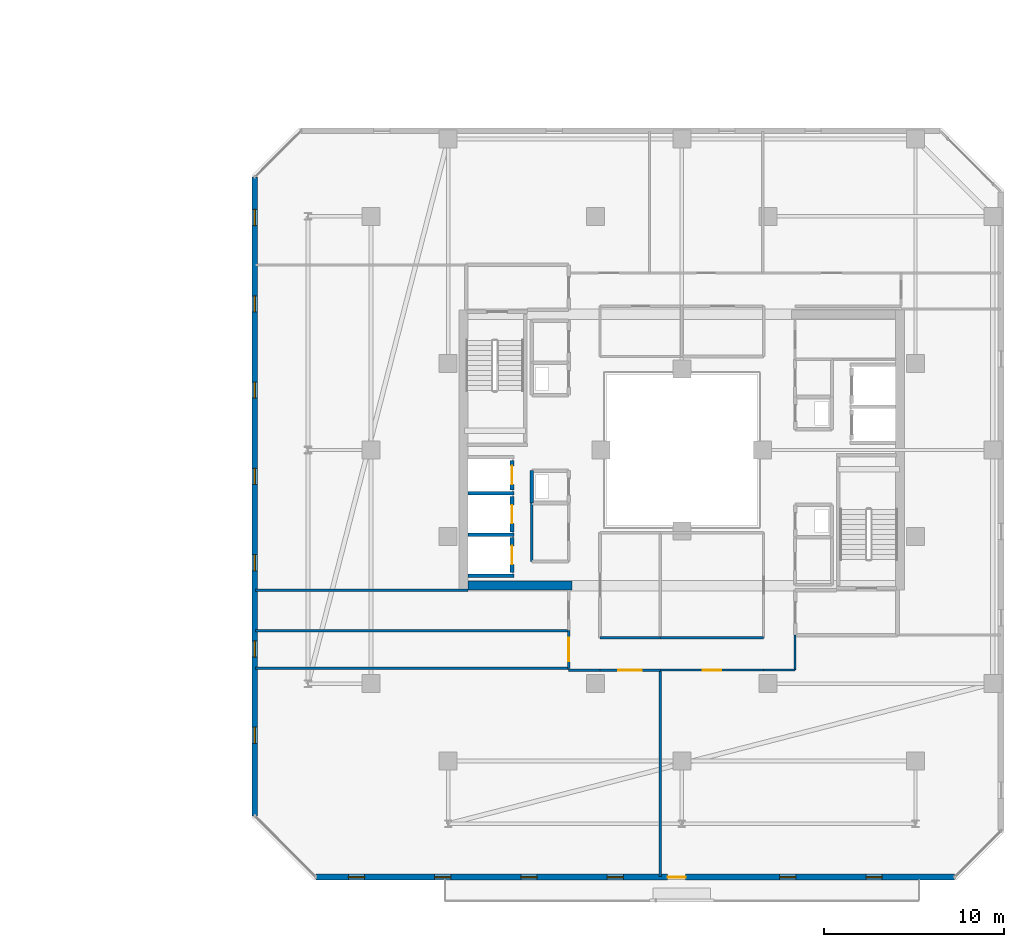
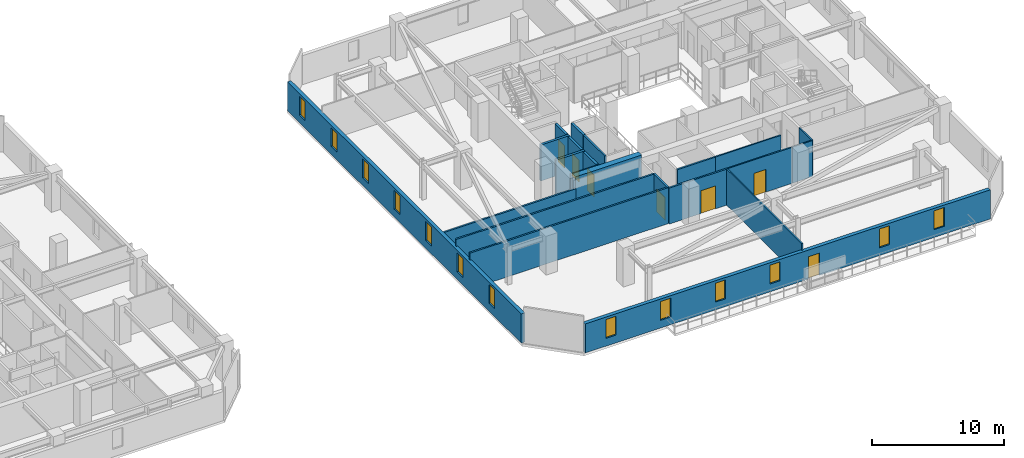
# One storey, part 23 of 33: 23 walls, 13 windows, 7 doors, 20 openings.
"""IFC4 building model written with IfcOpenShell, lengths in metres."""

from ifc_helpers import new_model, si_unit, direction, frame, frame_2d, origin, place, context, subcontext, project, spatial, rectangle, extrude, material, layer, layer_set, type_object, element, fill, save


model = new_model("IFC4")

# Units and contexts
model_context = context("Model", 3, precision=1e-05, world=origin(), true_north=direction((0.0, 1.0)))
body_context = subcontext(model_context, "Body", "Model", "MODEL_VIEW")
ifc_project = project(units=[si_unit("LENGTHUNIT", "METRE"), si_unit("AREAUNIT", "SQUARE_METRE"), si_unit("VOLUMEUNIT", "CUBIC_METRE"), si_unit("PLANEANGLEUNIT", "RADIAN"), si_unit("MASSUNIT", "GRAM", prefix="KILO")], contexts=[model_context])

# Site, building, storey
site_placement = place(None, origin())
site = spatial("IfcSite", under=ifc_project, at=site_placement, CompositionType="ELEMENT")
building_placement = place(site_placement, origin())
building = spatial("IfcBuilding", under=site, at=building_placement, Name="Thornwick Lancets Civic Towers", CompositionType="ELEMENT")
storey_placement = place(building_placement, frame((0.0, 0.0, 210.89990234375)))
storey = spatial("IfcBuildingStorey", under=building, at=storey_placement, Name="L56", CompositionType="ELEMENT", Elevation=210.89990234375)

# Wall, opening, door
ifc_material_1 = material(Name="Concrete blockwork C40/50", Category="masonry")
ifc_layer_1 = layer(ifc_material_1, 0.199951171875, Name="Concrete blockwork C40/50")
ifc_layer_set_1 = layer_set([ifc_layer_1], Name="Concrete blockwork C40/50")
wall_type_1 = type_object("IfcWallType", Name="WALL_COMP_200", PredefinedType="STANDARD", material=ifc_layer_set_1)
wall_1_placement = place(storey_placement, frame((79.050048828125, 24.780029296875, 0.0), z_axis=(0.0, 0.0, 1.0), x_axis=(0.0, 1.0, 0.0)))
wall_1 = element("IfcWall", 1, at=wall_1_placement, inside=storey, type_object=wall_type_1, Name="L56 Hoistway Front Wall FL-B2", PredefinedType="STANDARD", context=body_context, shape_type="SweptSolid", body=[
    extrude(rectangle(XDim=1.639892578125, YDim=0.199951171875, at=frame_2d((0.81982421875, 0.0))), origin(), (0.0, 0.0, 1.0), 3.340087890625),
])
opening_1_placement = place(wall_1_placement, frame((0.31005859375, 0.0, 0.0)))
opening_1 = element("IfcOpeningElement", 2, at=opening_1_placement, cuts=wall_1, Name="Opening LD-FL-B2", PredefinedType="OPENING", context=body_context, shape_type="SweptSolid", body=[
    extrude(rectangle(XDim=1.02001953125, YDim=2.06005859375, at=frame_2d((0.510009765625, 1.030029296875))), frame((0.0, 0.10986328125, 0.0), z_axis=(0.0, -1.0, 0.0), x_axis=(1.0, 0.0, 0.0)), (0.0, 0.0, 1.0), 0.219970703125),
])
ifc_material_2 = material(Name="Brushed bronze stainless steel", Category="steel")
door_type_1 = type_object("IfcDoorType", Name="DOOR_LIFT_SLIDE", OperationType="SLIDING_TO_LEFT", PredefinedType="DOOR", material=ifc_material_2)
door_1_placement = place(opening_1_placement, origin())
door_1 = element("IfcDoor", 3, at=door_1_placement, inside=storey, type_object=door_type_1, Name="L56 Sliding Lift Landing Door LD-FL-B2", OperationType="SLIDING_TO_LEFT", OverallHeight=2.06005859375, OverallWidth=1.02001953125, PredefinedType="DOOR", context=body_context, shape_type="SweptSolid", body=[
    extrude(rectangle(XDim=1.02001953125, YDim=2.06005859375, at=frame_2d((0.510009765625, 1.030029296875))), frame((0.0, 0.02490234375, 0.0), z_axis=(0.0, -1.0, 0.0), x_axis=(1.0, 0.0, 0.0)), (0.0, 0.0, 1.0), 0.050048828125),
])
fill(opening_1, door_1)

wall_2_placement = place(storey_placement, frame((79.050048828125, 22.429931640625, 0.0), z_axis=(0.0, 0.0, 1.0), x_axis=(0.0, 1.0, 0.0)))
wall_2 = element("IfcWall", 4, at=wall_2_placement, inside=storey, type_object=wall_type_1, Name="L56 Hoistway Front Wall PL-BH2", PredefinedType="STANDARD", context=body_context, shape_type="SweptSolid", body=[
    extrude(rectangle(XDim=1.989990234375, YDim=0.199951171875, at=frame_2d((0.9951171875, 0.0))), origin(), (0.0, 0.0, 1.0), 3.340087890625),
])
opening_2_placement = place(wall_2_placement, frame((0.485107421875, 0.0, 0.0)))
opening_2 = element("IfcOpeningElement", 5, at=opening_2_placement, cuts=wall_2, Name="Opening LD-PL-BH2", PredefinedType="OPENING", context=body_context, shape_type="SweptSolid", body=[
    extrude(rectangle(XDim=1.02001953125, YDim=2.06005859375, at=frame_2d((0.510009765625, 1.030029296875))), frame((0.0, 0.10986328125, 0.0), z_axis=(0.0, -1.0, 0.0), x_axis=(1.0, 0.0, 0.0)), (0.0, 0.0, 1.0), 0.219970703125),
])
door_2_placement = place(opening_2_placement, origin())
door_2 = element("IfcDoor", 6, at=door_2_placement, inside=storey, type_object=door_type_1, Name="L56 Sliding Lift Landing Door LD-PL-BH2", OperationType="SLIDING_TO_LEFT", OverallHeight=2.06005859375, OverallWidth=1.02001953125, PredefinedType="DOOR", context=body_context, shape_type="SweptSolid", body=[
    extrude(rectangle(XDim=1.02001953125, YDim=2.06005859375, at=frame_2d((0.510009765625, 1.030029296875))), frame((0.0, 0.02490234375, 0.0), z_axis=(0.0, -1.0, 0.0), x_axis=(1.0, 0.0, 0.0)), (0.0, 0.0, 1.0), 0.050048828125),
])
fill(opening_2, door_2)

wall_3_placement = place(storey_placement, frame((79.050048828125, 20.179931640625, 0.0), z_axis=(0.0, 0.0, 1.0), x_axis=(0.0, 1.0, 0.0)))
wall_3 = element("IfcWall", 7, at=wall_3_placement, inside=storey, type_object=wall_type_1, Name="L56 Hoistway Front Wall PL-BH3", PredefinedType="STANDARD", context=body_context, shape_type="SweptSolid", body=[
    extrude(rectangle(XDim=1.940185546875, YDim=0.199951171875, at=frame_2d((0.97021484375, 0.0))), origin(), (0.0, 0.0, 1.0), 3.340087890625),
])
opening_3_placement = place(wall_3_placement, frame((0.4599609375, 0.0, 0.0)))
opening_3 = element("IfcOpeningElement", 8, at=opening_3_placement, cuts=wall_3, Name="Opening LD-PL-BH3", PredefinedType="OPENING", context=body_context, shape_type="SweptSolid", body=[
    extrude(rectangle(XDim=1.02001953125, YDim=2.06005859375, at=frame_2d((0.510009765625, 1.030029296875))), frame((0.0, 0.10986328125, 0.0), z_axis=(0.0, -1.0, 0.0), x_axis=(1.0, 0.0, 0.0)), (0.0, 0.0, 1.0), 0.219970703125),
])
door_3_placement = place(opening_3_placement, origin())
door_3 = element("IfcDoor", 9, at=door_3_placement, inside=storey, type_object=door_type_1, Name="L56 Sliding Lift Landing Door LD-PL-BH3", OperationType="SLIDING_TO_LEFT", OverallHeight=2.06005859375, OverallWidth=1.02001953125, PredefinedType="DOOR", context=body_context, shape_type="SweptSolid", body=[
    extrude(rectangle(XDim=1.02001953125, YDim=2.06005859375, at=frame_2d((0.510009765625, 1.030029296875))), frame((0.0, 0.02490234375, 0.0), z_axis=(0.0, -1.0, 0.0), x_axis=(1.0, 0.0, 0.0)), (0.0, 0.0, 1.0), 0.050048828125),
])
fill(opening_3, door_3)

# Walls
for number, where, z_axis, x_axis, name in (
    (10, (76.612060546875, 24.60009765625, 0.0), (0.0, 0.0, 1.0), (1.0, 0.0, 0.0), "L56 Hoistway Shaft Wall FL-B2 S"),
    (11, (76.612060546875, 22.27490234375, 0.0), (0.0, 0.0, 1.0), (1.0, 0.0, 0.0), "L56 Hoistway Shaft Wall PL-BH2 S"),
    (12, (76.612060546875, 20.0, 0.0), (0.0, 0.0, 1.0), (1.0, 0.0, 0.0), "L56 Hoistway Shaft Wall PL-BH3 S"),
):
    element("IfcWall", number, at=place(storey_placement, frame(where, z_axis=z_axis, x_axis=x_axis)), inside=storey, type_object=wall_type_1, Name=name, PredefinedType="STANDARD", context=body_context, shape_type="SweptSolid", body=[
        extrude(rectangle(XDim=2.535888671875, YDim=0.199951171875, at=frame_2d((1.26806640625, 0.0))), origin(), (0.0, 0.0, 1.0), 3.340087890625),
    ])
wall_4_placement = place(storey_placement, frame((80.14990234375, 25.85009765625, 0.0), z_axis=(0.0, 0.0, 1.0), x_axis=(0.0, -1.0, 0.0)))
element("IfcWall", 13, at=wall_4_placement, inside=storey, type_object=wall_type_1, Name="L56 Partition L56-B-DUCT2 E4", PredefinedType="STANDARD", context=body_context, shape_type="SweptSolid", body=[
    extrude(rectangle(XDim=1.800048828125, YDim=0.199951171875, at=frame_2d((0.89990234375, 0.0))), origin(), (0.0, 0.0, 1.0), 3.340087890625),
])
ifc_material_3 = material(Name="Concrete C50/60", Category="concrete")
ifc_layer_2 = layer(ifc_material_3, 0.5, Name="Concrete C50/60")
ifc_layer_set_2 = layer_set([ifc_layer_2], Name="Concrete C50/60")
wall_type_2 = type_object("IfcWallType", Name="WALL_CORE_500", PredefinedType="SHEAR", material=ifc_layer_set_2)
wall_5_placement = place(storey_placement, frame((76.60009765625, 19.449951171875, 0.0), z_axis=(0.0, 0.0, 1.0), x_axis=(1.0, 0.0, 0.0)))
element("IfcWall", 14, at=wall_5_placement, inside=storey, type_object=wall_type_2, Name="L56 Split Core B2 Shear Wall S", PredefinedType="SHEAR", context=body_context, shape_type="SweptSolid", body=[
    extrude(rectangle(XDim=5.7998046875, YDim=0.5, at=frame_2d((2.89990234375, 0.0))), origin(), (0.0, 0.0, 1.0), 3.60009765625),
])

# Wall, openings, door, windows
ifc_material_4 = material(Name="Insulated buff terracotta rainscreen on concrete C40/50", Category="masonry")
ifc_layer_3 = layer(ifc_material_4, 0.320068359375, Name="Insulated buff terracotta rainscreen on concrete C40/50")
ifc_layer_set_3 = layer_set([ifc_layer_3], Name="Insulated buff terracotta rainscreen on concrete C40/50")
wall_type_3 = type_object("IfcWallType", Name="WALL_EXT_TERRA_320", PredefinedType="STANDARD", material=ifc_layer_set_3)
wall_6_placement = place(storey_placement, frame((68.146484375, 3.238037109375, 0.0), z_axis=(0.0, 0.0, 1.0), x_axis=(0.999999997144, -7.5574884e-05, 0.0)))
wall_6 = element("IfcWall", 15, at=wall_6_placement, inside=storey, type_object=wall_type_3, Name="L56 Tower B Terracotta Facade Wall E0", PredefinedType="STANDARD", context=body_context, shape_type="SweptSolid", body=[
    extrude(rectangle(XDim=35.534912109375, YDim=0.320068359375, at=frame_2d((17.767578125, 0.0))), origin(), (0.0, 0.0, 1.0), 2.7001953125),
])
opening_4_placement = place(wall_6_placement, frame((19.5673828125, 0.0, 0.0)))
opening_4 = element("IfcOpeningElement", 16, at=opening_4_placement, cuts=wall_6, Name="Opening D-BL-L56-BS", PredefinedType="OPENING", context=body_context, shape_type="SweptSolid", body=[
    extrude(rectangle(XDim=1.0, YDim=2.080078125, at=frame_2d((0.5, 1.0400390625))), frame((0.0, 0.169921875, 0.0), z_axis=(0.0, -1.0, 0.0), x_axis=(1.0, 0.0, 0.0)), (0.0, 0.0, 1.0), 0.340087890625),
])
opening_5_placement = place(wall_6_placement, frame((1.800048828125, 0.0, 0.719970703125)))
opening_5 = element("IfcOpeningElement", 17, at=opening_5_placement, cuts=wall_6, Name="Opening WL-01", PredefinedType="OPENING", context=body_context, shape_type="SweptSolid", body=[
    extrude(rectangle(XDim=0.89990234375, YDim=1.75, at=frame_2d((0.449951171875, 0.875))), frame((0.0, 0.169921875, 0.0), z_axis=(0.0, -1.0, 0.0), x_axis=(1.0, 0.0, 0.0)), (0.0, 0.0, 1.0), 0.340087890625),
])
opening_6_placement = place(wall_6_placement, frame((6.60009765625, 0.0, 0.719970703125)))
opening_6 = element("IfcOpeningElement", 18, at=opening_6_placement, cuts=wall_6, Name="Opening WL-01", PredefinedType="OPENING", context=body_context, shape_type="SweptSolid", body=[
    extrude(rectangle(XDim=0.89990234375, YDim=1.75, at=frame_2d((0.449951171875, 0.875))), frame((0.0, 0.169921875, 0.0), z_axis=(0.0, -1.0, 0.0), x_axis=(1.0, 0.0, 0.0)), (0.0, 0.0, 1.0), 0.340087890625),
])
opening_7_placement = place(wall_6_placement, frame((11.39990234375, 0.0, 0.719970703125)))
opening_7 = element("IfcOpeningElement", 19, at=opening_7_placement, cuts=wall_6, Name="Opening WL-01", PredefinedType="OPENING", context=body_context, shape_type="SweptSolid", body=[
    extrude(rectangle(XDim=0.89990234375, YDim=1.75, at=frame_2d((0.449951171875, 0.875))), frame((0.0, 0.169921875, 0.0), z_axis=(0.0, -1.0, 0.0), x_axis=(1.0, 0.0, 0.0)), (0.0, 0.0, 1.0), 0.340087890625),
])
opening_8_placement = place(wall_6_placement, frame((16.199951171875, 0.0, 0.719970703125)))
opening_8 = element("IfcOpeningElement", 20, at=opening_8_placement, cuts=wall_6, Name="Opening WL-01", PredefinedType="OPENING", context=body_context, shape_type="SweptSolid", body=[
    extrude(rectangle(XDim=0.89990234375, YDim=1.75, at=frame_2d((0.449951171875, 0.875))), frame((0.0, 0.169921875, 0.0), z_axis=(0.0, -1.0, 0.0), x_axis=(1.0, 0.0, 0.0)), (0.0, 0.0, 1.0), 0.340087890625),
])
opening_9_placement = place(wall_6_placement, frame((25.800048828125, 0.0, 0.719970703125)))
opening_9 = element("IfcOpeningElement", 21, at=opening_9_placement, cuts=wall_6, Name="Opening WL-01", PredefinedType="OPENING", context=body_context, shape_type="SweptSolid", body=[
    extrude(rectangle(XDim=0.89990234375, YDim=1.75, at=frame_2d((0.449951171875, 0.875))), frame((0.0, 0.169921875, 0.0), z_axis=(0.0, -1.0, 0.0), x_axis=(1.0, 0.0, 0.0)), (0.0, 0.0, 1.0), 0.340087890625),
])
opening_10_placement = place(wall_6_placement, frame((30.60009765625, 0.0, 0.719970703125)))
opening_10 = element("IfcOpeningElement", 22, at=opening_10_placement, cuts=wall_6, Name="Opening WL-01", PredefinedType="OPENING", context=body_context, shape_type="SweptSolid", body=[
    extrude(rectangle(XDim=0.89990234375, YDim=1.75, at=frame_2d((0.449951171875, 0.875))), frame((0.0, 0.169921875, 0.0), z_axis=(0.0, -1.0, 0.0), x_axis=(1.0, 0.0, 0.0)), (0.0, 0.0, 1.0), 0.340087890625),
])
ifc_material_5 = material(Name="Thermally broken glazed loggia doorset")
door_type_2 = type_object("IfcDoorType", Name="DOOR_BALC_1000", OperationType="NOTDEFINED", PredefinedType="DOOR", material=ifc_material_5)
door_4_placement = place(opening_4_placement, origin())
door_4 = element("IfcDoor", 23, at=door_4_placement, inside=storey, type_object=door_type_2, Name="L56 Tower B Loggia Balcony Door S", OperationType="SINGLE_SWING_LEFT", OverallHeight=2.080078125, OverallWidth=1.0, PredefinedType="DOOR", context=body_context, shape_type="SweptSolid", body=[
    extrude(rectangle(XDim=1.0, YDim=2.080078125, at=frame_2d((0.5, 1.0400390625))), frame((0.0, 0.02490234375, 0.0), z_axis=(0.0, -1.0, 0.0), x_axis=(1.0, 0.0, 0.0)), (0.0, 0.0, 1.0), 0.050048828125),
])
fill(opening_4, door_4)
ifc_material_6 = material(Name="Clear low-e double glazing in bronze frame", Category="glass")
window_type = type_object("IfcWindowType", Name="WIN_LANCET_900", PartitioningType="SINGLE_PANEL", PredefinedType="WINDOW", material=ifc_material_6)
window_1_placement = place(opening_5_placement, origin())
window_1 = element("IfcWindow", 24, at=window_1_placement, inside=storey, type_object=window_type, Name="L56 Tower B Staggered Lancet Window E0-1", OverallHeight=1.75, OverallWidth=0.89990234375, PartitioningType="SINGLE_PANEL", PredefinedType="WINDOW", context=body_context, shape_type="SweptSolid", body=[
    extrude(rectangle(XDim=0.89990234375, YDim=1.75, at=frame_2d((0.449951171875, 0.875))), frame((0.0, 0.030029296875, 0.0), z_axis=(0.0, -1.0, 0.0), x_axis=(1.0, 0.0, 0.0)), (0.0, 0.0, 1.0), 0.06005859375),
])
fill(opening_5, window_1)
window_2_placement = place(opening_6_placement, origin())
window_2 = element("IfcWindow", 25, at=window_2_placement, inside=storey, type_object=window_type, Name="L56 Tower B Staggered Lancet Window E0-2", OverallHeight=1.75, OverallWidth=0.89990234375, PartitioningType="SINGLE_PANEL", PredefinedType="WINDOW", context=body_context, shape_type="SweptSolid", body=[
    extrude(rectangle(XDim=0.89990234375, YDim=1.75, at=frame_2d((0.449951171875, 0.875))), frame((0.0, 0.030029296875, 0.0), z_axis=(0.0, -1.0, 0.0), x_axis=(1.0, 0.0, 0.0)), (0.0, 0.0, 1.0), 0.06005859375),
])
fill(opening_6, window_2)
window_3_placement = place(opening_7_placement, origin())
window_3 = element("IfcWindow", 26, at=window_3_placement, inside=storey, type_object=window_type, Name="L56 Tower B Staggered Lancet Window E0-3", OverallHeight=1.75, OverallWidth=0.89990234375, PartitioningType="SINGLE_PANEL", PredefinedType="WINDOW", context=body_context, shape_type="SweptSolid", body=[
    extrude(rectangle(XDim=0.89990234375, YDim=1.75, at=frame_2d((0.449951171875, 0.875))), frame((0.0, 0.030029296875, 0.0), z_axis=(0.0, -1.0, 0.0), x_axis=(1.0, 0.0, 0.0)), (0.0, 0.0, 1.0), 0.06005859375),
])
fill(opening_7, window_3)
window_4_placement = place(opening_8_placement, origin())
window_4 = element("IfcWindow", 27, at=window_4_placement, inside=storey, type_object=window_type, Name="L56 Tower B Staggered Lancet Window E0-4", OverallHeight=1.75, OverallWidth=0.89990234375, PartitioningType="SINGLE_PANEL", PredefinedType="WINDOW", context=body_context, shape_type="SweptSolid", body=[
    extrude(rectangle(XDim=0.89990234375, YDim=1.75, at=frame_2d((0.449951171875, 0.875))), frame((0.0, 0.030029296875, 0.0), z_axis=(0.0, -1.0, 0.0), x_axis=(1.0, 0.0, 0.0)), (0.0, 0.0, 1.0), 0.06005859375),
])
fill(opening_8, window_4)
window_5_placement = place(opening_9_placement, origin())
window_5 = element("IfcWindow", 28, at=window_5_placement, inside=storey, type_object=window_type, Name="L56 Tower B Staggered Lancet Window E0-5", OverallHeight=1.75, OverallWidth=0.89990234375, PartitioningType="SINGLE_PANEL", PredefinedType="WINDOW", context=body_context, shape_type="SweptSolid", body=[
    extrude(rectangle(XDim=0.89990234375, YDim=1.75, at=frame_2d((0.449951171875, 0.875))), frame((0.0, 0.030029296875, 0.0), z_axis=(0.0, -1.0, 0.0), x_axis=(1.0, 0.0, 0.0)), (0.0, 0.0, 1.0), 0.06005859375),
])
fill(opening_9, window_5)
window_6_placement = place(opening_10_placement, origin())
window_6 = element("IfcWindow", 29, at=window_6_placement, inside=storey, type_object=window_type, Name="L56 Tower B Staggered Lancet Window E0-6", OverallHeight=1.75, OverallWidth=0.89990234375, PartitioningType="SINGLE_PANEL", PredefinedType="WINDOW", context=body_context, shape_type="SweptSolid", body=[
    extrude(rectangle(XDim=0.89990234375, YDim=1.75, at=frame_2d((0.449951171875, 0.875))), frame((0.0, 0.030029296875, 0.0), z_axis=(0.0, -1.0, 0.0), x_axis=(1.0, 0.0, 0.0)), (0.0, 0.0, 1.0), 0.06005859375),
])
fill(opening_10, window_6)

# Wall, openings, windows
wall_7_placement = place(storey_placement, frame((64.7353515625, 42.181396484375, 0.0), z_axis=(0.0, 0.0, 1.0), x_axis=(7.5574884e-05, -0.999999997144, 0.0)))
wall_7 = element("IfcWall", 30, at=wall_7_placement, inside=storey, type_object=wall_type_3, Name="L56 Tower B Terracotta Facade Wall E6", PredefinedType="STANDARD", context=body_context, shape_type="SweptSolid", body=[
    extrude(rectangle(XDim=35.534912109375, YDim=0.320068359375, at=frame_2d((17.767578125, 0.0))), origin(), (0.0, 0.0, 1.0), 2.7001953125),
])
opening_11_placement = place(wall_7_placement, frame((1.800048828125, 0.0, 0.719970703125)))
opening_11 = element("IfcOpeningElement", 31, at=opening_11_placement, cuts=wall_7, Name="Opening WL-01", PredefinedType="OPENING", context=body_context, shape_type="SweptSolid", body=[
    extrude(rectangle(XDim=0.89990234375, YDim=1.75, at=frame_2d((0.449951171875, 0.875))), frame((0.0, 0.169921875, 0.0), z_axis=(0.0, -1.0, 0.0), x_axis=(1.0, 0.0, 0.0)), (0.0, 0.0, 1.0), 0.340087890625),
])
opening_12_placement = place(wall_7_placement, frame((6.60009765625, 0.0, 0.719970703125)))
opening_12 = element("IfcOpeningElement", 32, at=opening_12_placement, cuts=wall_7, Name="Opening WL-01", PredefinedType="OPENING", context=body_context, shape_type="SweptSolid", body=[
    extrude(rectangle(XDim=0.89990234375, YDim=1.75, at=frame_2d((0.449951171875, 0.875))), frame((0.0, 0.169921875, 0.0), z_axis=(0.0, -1.0, 0.0), x_axis=(1.0, 0.0, 0.0)), (0.0, 0.0, 1.0), 0.340087890625),
])
opening_13_placement = place(wall_7_placement, frame((11.39990234375, 0.0, 0.719970703125)))
opening_13 = element("IfcOpeningElement", 33, at=opening_13_placement, cuts=wall_7, Name="Opening WL-01", PredefinedType="OPENING", context=body_context, shape_type="SweptSolid", body=[
    extrude(rectangle(XDim=0.89990234375, YDim=1.75, at=frame_2d((0.449951171875, 0.875))), frame((0.0, 0.169921875, 0.0), z_axis=(0.0, -1.0, 0.0), x_axis=(1.0, 0.0, 0.0)), (0.0, 0.0, 1.0), 0.340087890625),
])
opening_14_placement = place(wall_7_placement, frame((16.199951171875, 0.0, 0.719970703125)))
opening_14 = element("IfcOpeningElement", 34, at=opening_14_placement, cuts=wall_7, Name="Opening WL-01", PredefinedType="OPENING", context=body_context, shape_type="SweptSolid", body=[
    extrude(rectangle(XDim=0.89990234375, YDim=1.75, at=frame_2d((0.449951171875, 0.875))), frame((0.0, 0.169921875, 0.0), z_axis=(0.0, -1.0, 0.0), x_axis=(1.0, 0.0, 0.0)), (0.0, 0.0, 1.0), 0.340087890625),
])
opening_15_placement = place(wall_7_placement, frame((21.0, 0.0, 0.719970703125)))
opening_15 = element("IfcOpeningElement", 35, at=opening_15_placement, cuts=wall_7, Name="Opening WL-01", PredefinedType="OPENING", context=body_context, shape_type="SweptSolid", body=[
    extrude(rectangle(XDim=0.89990234375, YDim=1.75, at=frame_2d((0.449951171875, 0.875))), frame((0.0, 0.169921875, 0.0), z_axis=(0.0, -1.0, 0.0), x_axis=(1.0, 0.0, 0.0)), (0.0, 0.0, 1.0), 0.340087890625),
])
opening_16_placement = place(wall_7_placement, frame((25.800048828125, 0.0, 0.719970703125)))
opening_16 = element("IfcOpeningElement", 36, at=opening_16_placement, cuts=wall_7, Name="Opening WL-01", PredefinedType="OPENING", context=body_context, shape_type="SweptSolid", body=[
    extrude(rectangle(XDim=0.89990234375, YDim=1.75, at=frame_2d((0.449951171875, 0.875))), frame((0.0, 0.169921875, 0.0), z_axis=(0.0, -1.0, 0.0), x_axis=(1.0, 0.0, 0.0)), (0.0, 0.0, 1.0), 0.340087890625),
])
opening_17_placement = place(wall_7_placement, frame((30.60009765625, 0.0, 0.719970703125)))
opening_17 = element("IfcOpeningElement", 37, at=opening_17_placement, cuts=wall_7, Name="Opening WL-01", PredefinedType="OPENING", context=body_context, shape_type="SweptSolid", body=[
    extrude(rectangle(XDim=0.89990234375, YDim=1.75, at=frame_2d((0.449951171875, 0.875))), frame((0.0, 0.169921875, 0.0), z_axis=(0.0, -1.0, 0.0), x_axis=(1.0, 0.0, 0.0)), (0.0, 0.0, 1.0), 0.340087890625),
])
window_7_placement = place(opening_11_placement, origin())
window_7 = element("IfcWindow", 38, at=window_7_placement, inside=storey, type_object=window_type, Name="L56 Tower B Staggered Lancet Window E6-1", OverallHeight=1.75, OverallWidth=0.89990234375, PartitioningType="SINGLE_PANEL", PredefinedType="WINDOW", context=body_context, shape_type="SweptSolid", body=[
    extrude(rectangle(XDim=0.89990234375, YDim=1.75, at=frame_2d((0.449951171875, 0.875))), frame((0.0, 0.030029296875, 0.0), z_axis=(0.0, -1.0, 0.0), x_axis=(1.0, 0.0, 0.0)), (0.0, 0.0, 1.0), 0.06005859375),
])
fill(opening_11, window_7)
window_8_placement = place(opening_12_placement, origin())
window_8 = element("IfcWindow", 39, at=window_8_placement, inside=storey, type_object=window_type, Name="L56 Tower B Staggered Lancet Window E6-2", OverallHeight=1.75, OverallWidth=0.89990234375, PartitioningType="SINGLE_PANEL", PredefinedType="WINDOW", context=body_context, shape_type="SweptSolid", body=[
    extrude(rectangle(XDim=0.89990234375, YDim=1.75, at=frame_2d((0.449951171875, 0.875))), frame((0.0, 0.030029296875, 0.0), z_axis=(0.0, -1.0, 0.0), x_axis=(1.0, 0.0, 0.0)), (0.0, 0.0, 1.0), 0.06005859375),
])
fill(opening_12, window_8)
window_9_placement = place(opening_13_placement, origin())
window_9 = element("IfcWindow", 40, at=window_9_placement, inside=storey, type_object=window_type, Name="L56 Tower B Staggered Lancet Window E6-3", OverallHeight=1.75, OverallWidth=0.89990234375, PartitioningType="SINGLE_PANEL", PredefinedType="WINDOW", context=body_context, shape_type="SweptSolid", body=[
    extrude(rectangle(XDim=0.89990234375, YDim=1.75, at=frame_2d((0.449951171875, 0.875))), frame((0.0, 0.030029296875, 0.0), z_axis=(0.0, -1.0, 0.0), x_axis=(1.0, 0.0, 0.0)), (0.0, 0.0, 1.0), 0.06005859375),
])
fill(opening_13, window_9)
window_10_placement = place(opening_14_placement, origin())
window_10 = element("IfcWindow", 41, at=window_10_placement, inside=storey, type_object=window_type, Name="L56 Tower B Staggered Lancet Window E6-4", OverallHeight=1.75, OverallWidth=0.89990234375, PartitioningType="SINGLE_PANEL", PredefinedType="WINDOW", context=body_context, shape_type="SweptSolid", body=[
    extrude(rectangle(XDim=0.89990234375, YDim=1.75, at=frame_2d((0.449951171875, 0.875))), frame((0.0, 0.030029296875, 0.0), z_axis=(0.0, -1.0, 0.0), x_axis=(1.0, 0.0, 0.0)), (0.0, 0.0, 1.0), 0.06005859375),
])
fill(opening_14, window_10)
window_11_placement = place(opening_15_placement, origin())
window_11 = element("IfcWindow", 42, at=window_11_placement, inside=storey, type_object=window_type, Name="L56 Tower B Staggered Lancet Window E6-5", OverallHeight=1.75, OverallWidth=0.89990234375, PartitioningType="SINGLE_PANEL", PredefinedType="WINDOW", context=body_context, shape_type="SweptSolid", body=[
    extrude(rectangle(XDim=0.89990234375, YDim=1.75, at=frame_2d((0.449951171875, 0.875))), frame((0.0, 0.030029296875, 0.0), z_axis=(0.0, -1.0, 0.0), x_axis=(1.0, 0.0, 0.0)), (0.0, 0.0, 1.0), 0.06005859375),
])
fill(opening_15, window_11)
window_12_placement = place(opening_16_placement, origin())
window_12 = element("IfcWindow", 43, at=window_12_placement, inside=storey, type_object=window_type, Name="L56 Tower B Staggered Lancet Window E6-6", OverallHeight=1.75, OverallWidth=0.89990234375, PartitioningType="SINGLE_PANEL", PredefinedType="WINDOW", context=body_context, shape_type="SweptSolid", body=[
    extrude(rectangle(XDim=0.89990234375, YDim=1.75, at=frame_2d((0.449951171875, 0.875))), frame((0.0, 0.030029296875, 0.0), z_axis=(0.0, -1.0, 0.0), x_axis=(1.0, 0.0, 0.0)), (0.0, 0.0, 1.0), 0.06005859375),
])
fill(opening_16, window_12)
window_13_placement = place(opening_17_placement, origin())
window_13 = element("IfcWindow", 44, at=window_13_placement, inside=storey, type_object=window_type, Name="L56 Tower B Staggered Lancet Window E6-7", OverallHeight=1.75, OverallWidth=0.89990234375, PartitioningType="SINGLE_PANEL", PredefinedType="WINDOW", context=body_context, shape_type="SweptSolid", body=[
    extrude(rectangle(XDim=0.89990234375, YDim=1.75, at=frame_2d((0.449951171875, 0.875))), frame((0.0, 0.030029296875, 0.0), z_axis=(0.0, -1.0, 0.0), x_axis=(1.0, 0.0, 0.0)), (0.0, 0.0, 1.0), 0.06005859375),
])
fill(opening_17, window_13)

# Wall
ifc_material_7 = material(Name="Acoustic gypsum board partition")
ifc_layer_4 = layer(ifc_material_7, 0.1201171875, Name="Acoustic gypsum board partition")
ifc_layer_set_4 = layer_set([ifc_layer_4], Name="Acoustic gypsum board partition")
wall_type_4 = type_object("IfcWallType", Name="WALL_PART_120", PredefinedType="PARTITIONING", material=ifc_layer_set_4)
wall_8_placement = place(storey_placement, frame((87.300048828125, 3.280029296875, 0.0), z_axis=(0.0, 0.0, 1.0), x_axis=(0.0, 1.0, 0.0)))
element("IfcWall", 45, at=wall_8_placement, inside=storey, type_object=wall_type_4, Name="L56 Partition L56-B-W1 E2", PredefinedType="PARTITIONING", context=body_context, shape_type="SweptSolid", body=[
    extrude(rectangle(XDim=11.469970703125, YDim=0.1201171875, at=frame_2d((5.73486328125, 0.0))), origin(), (0.0, 0.0, 1.0), 3.340087890625),
])

# Wall, opening, door
wall_9_placement = place(storey_placement, frame((87.300048828125, 14.75, 0.0), z_axis=(0.0, 0.0, 1.0), x_axis=(1.0, 0.0, 0.0)))
wall_9 = element("IfcWall", 46, at=wall_9_placement, inside=storey, type_object=wall_type_4, Name="L56 Partition L56-B-W1 E3", PredefinedType="PARTITIONING", context=body_context, shape_type="SweptSolid", body=[
    extrude(rectangle(XDim=5.75, YDim=0.1201171875, at=frame_2d((2.875, 0.0))), origin(), (0.0, 0.0, 1.0), 3.340087890625),
])
opening_18_placement = place(wall_9_placement, frame((2.35009765625, 0.0, 0.0)))
opening_18 = element("IfcOpeningElement", 47, at=opening_18_placement, cuts=wall_9, Name="Opening D-L56-2516", PredefinedType="OPENING", context=body_context, shape_type="SweptSolid", body=[
    extrude(rectangle(XDim=1.050048828125, YDim=2.10009765625, at=frame_2d((0.52490234375, 1.050048828125))), frame((0.0, 0.070068359375, 0.0), z_axis=(0.0, -1.0, 0.0), x_axis=(1.0, 0.0, 0.0)), (0.0, 0.0, 1.0), 0.14013671875),
])
ifc_material_8 = material(Name="Glazed European oak executive doorset")
door_type_3 = type_object("IfcDoorType", Name="DOOR_OFFICE_1050", OperationType="NOTDEFINED", PredefinedType="DOOR", material=ifc_material_8)
door_5_placement = place(opening_18_placement, origin())
door_5 = element("IfcDoor", 48, at=door_5_placement, inside=storey, type_object=door_type_3, Name="L56 Tower B Ministry Directorate Office W1 Door", OperationType="SINGLE_SWING_LEFT", OverallHeight=2.10009765625, OverallWidth=1.050048828125, PredefinedType="DOOR", context=body_context, shape_type="SweptSolid", body=[
    extrude(rectangle(XDim=1.050048828125, YDim=2.10009765625, at=frame_2d((0.52490234375, 1.050048828125))), frame((0.0, 0.02490234375, 0.0), z_axis=(0.0, -1.0, 0.0), x_axis=(1.0, 0.0, 0.0)), (0.0, 0.0, 1.0), 0.050048828125),
])
fill(opening_18, door_5)

# Walls
wall_10_placement = place(storey_placement, frame((93.050048828125, 14.75, 0.0), z_axis=(0.0, 0.0, 1.0), x_axis=(1.0, 0.0, 0.0)))
element("IfcWall", 49, at=wall_10_placement, inside=storey, type_object=wall_type_4, Name="L56 Partition L56-B-W1 E4", PredefinedType="PARTITIONING", context=body_context, shape_type="SweptSolid", body=[
    extrude(rectangle(XDim=1.75, YDim=0.1201171875, at=frame_2d((0.875, 0.0))), origin(), (0.0, 0.0, 1.0), 3.340087890625),
])
wall_11_placement = place(storey_placement, frame((94.800048828125, 14.75, 0.0), z_axis=(0.0, 0.0, 1.0), x_axis=(0.0, 1.0, 0.0)))
element("IfcWall", 50, at=wall_11_placement, inside=storey, type_object=wall_type_4, Name="L56 Partition L56-B-W1 E5", PredefinedType="PARTITIONING", context=body_context, shape_type="SweptSolid", body=[
    extrude(rectangle(XDim=1.949951171875, YDim=0.1201171875, at=frame_2d((0.97509765625, 0.0))), origin(), (0.0, 0.0, 1.0), 3.340087890625),
])
wall_12_placement = place(storey_placement, frame((93.050048828125, 16.550048828125, 0.0), z_axis=(0.0, 0.0, 1.0), x_axis=(-1.0, 0.0, 0.0)))
element("IfcWall", 51, at=wall_12_placement, inside=storey, type_object=wall_type_4, Name="L56 Partition L56-B-W3 E4", PredefinedType="PARTITIONING", context=body_context, shape_type="SweptSolid", body=[
    extrude(rectangle(XDim=5.75, YDim=0.1201171875, at=frame_2d((2.875, 0.0))), origin(), (0.0, 0.0, 1.0), 3.340087890625),
])
ifc_material_9 = material(Name="Twin-stud acoustic gypsum board")
ifc_layer_5 = layer(ifc_material_9, 0.14990234375, Name="Twin-stud acoustic gypsum board")
ifc_layer_set_5 = layer_set([ifc_layer_5], Name="Twin-stud acoustic gypsum board")
wall_type_5 = type_object("IfcWallType", Name="WALL_PART_150", PredefinedType="PARTITIONING", material=ifc_layer_set_5)
wall_13_placement = place(storey_placement, frame((80.14990234375, 20.800048828125, 0.0), z_axis=(0.0, 0.0, 1.0), x_axis=(0.0, 1.0, 0.0)))
element("IfcWall", 52, at=wall_13_placement, inside=storey, type_object=wall_type_5, Name="L56 Partition L56-B-FWC E2", PredefinedType="PARTITIONING", context=body_context, shape_type="SweptSolid", body=[
    extrude(rectangle(XDim=3.25, YDim=0.14990234375, at=frame_2d((1.625, 0.0))), origin(), (0.0, 0.0, 1.0), 3.340087890625),
])
for number, where, z_axis, x_axis, name in (
    (53, (82.199951171875, 14.85009765625, 0.0), (0.0, 0.0, 1.0), (-1.0, 0.0, 0.0), "L56 Partition L56-B-RECLAIM-M1 E1"),
    (54, (64.780029296875, 16.949951171875, 0.0), (0.0, 0.0, 1.0), (1.0, 0.0, 0.0), "L56 Partition L56-B-RECLAIM-M1 E3"),
):
    element("IfcWall", number, at=place(storey_placement, frame(where, z_axis=z_axis, x_axis=x_axis)), inside=storey, type_object=wall_type_5, Name=name, PredefinedType="PARTITIONING", context=body_context, shape_type="SweptSolid", body=[
        extrude(rectangle(XDim=17.419921875, YDim=0.14990234375, at=frame_2d((8.7099609375, 0.0))), origin(), (0.0, 0.0, 1.0), 3.340087890625),
    ])

# Wall, opening, door
wall_14_placement = place(storey_placement, frame((82.199951171875, 16.949951171875, 0.0), z_axis=(0.0, 0.0, 1.0), x_axis=(0.0, -1.0, 0.0)))
wall_14 = element("IfcWall", 55, at=wall_14_placement, inside=storey, type_object=wall_type_5, Name="L56 Partition L56-B-RECLAIM-M1 E4", PredefinedType="PARTITIONING", context=body_context, shape_type="SweptSolid", body=[
    extrude(rectangle(XDim=2.099853515625, YDim=0.14990234375, at=frame_2d((1.0498046875, 0.0))), origin(), (0.0, 0.0, 1.0), 3.340087890625),
])
opening_19_placement = place(wall_14_placement, frame((0.39990234375, 0.0, 0.0)))
opening_19 = element("IfcOpeningElement", 56, at=opening_19_placement, cuts=wall_14, Name="Opening D-L56-2514", PredefinedType="OPENING", context=body_context, shape_type="SweptSolid", body=[
    extrude(rectangle(XDim=1.300048828125, YDim=2.1201171875, at=frame_2d((0.64990234375, 1.06005859375))), frame((0.0, 0.0849609375, 0.0), z_axis=(0.0, -1.0, 0.0), x_axis=(1.0, 0.0, 0.0)), (0.0, 0.0, 1.0), 0.169921875),
])
ifc_material_10 = material(Name="Acoustic oak leaf-and-a-half doorset")
door_type_4 = type_object("IfcDoorType", Name="DOOR_MEET_1300", OperationType="DOUBLE_DOOR_SINGLE_SWING", PredefinedType="DOOR", material=ifc_material_10)
door_6_placement = place(opening_19_placement, origin())
door_6 = element("IfcDoor", 57, at=door_6_placement, inside=storey, type_object=door_type_4, Name="L56 Tower B Diplomatic Conference Room Door", OperationType="DOUBLE_DOOR_SINGLE_SWING", OverallHeight=2.1201171875, OverallWidth=1.300048828125, PredefinedType="DOOR", context=body_context, shape_type="SweptSolid", body=[
    extrude(rectangle(XDim=1.300048828125, YDim=2.1201171875, at=frame_2d((0.64990234375, 1.06005859375))), frame((0.0, 0.02490234375, 0.0), z_axis=(0.0, -1.0, 0.0), x_axis=(1.0, 0.0, 0.0)), (0.0, 0.0, 1.0), 0.050048828125),
])
fill(opening_19, door_6)

# Walls
wall_15_placement = place(storey_placement, frame((64.780029296875, 19.199951171875, 0.0), z_axis=(0.0, 0.0, 1.0), x_axis=(1.0, 0.0, 0.0)))
element("IfcWall", 58, at=wall_15_placement, inside=storey, type_object=wall_type_5, Name="L56 Partition L56-B-RECLAIM-M2 E3", PredefinedType="PARTITIONING", context=body_context, shape_type="SweptSolid", body=[
    extrude(rectangle(XDim=11.820068359375, YDim=0.14990234375, at=frame_2d((5.91015625, 0.0))), origin(), (0.0, 0.0, 1.0), 2.545166015625),
])
wall_16_placement = place(storey_placement, frame((82.199951171875, 14.75, 0.0), z_axis=(0.0, 0.0, 1.0), x_axis=(1.0, 0.0, 0.0)))
element("IfcWall", 59, at=wall_16_placement, inside=storey, type_object=wall_type_5, Name="L56 Partition L56-B-W2 E5", PredefinedType="PARTITIONING", context=body_context, shape_type="SweptSolid", body=[
    extrude(rectangle(XDim=1.75, YDim=0.14990234375, at=frame_2d((0.875, 0.0))), origin(), (0.0, 0.0, 1.0), 3.340087890625),
])

# Wall, opening, door
wall_17_placement = place(storey_placement, frame((83.949951171875, 14.75, 0.0), z_axis=(0.0, 0.0, 1.0), x_axis=(1.0, 0.0, 0.0)))
wall_17 = element("IfcWall", 60, at=wall_17_placement, inside=storey, type_object=wall_type_5, Name="L56 Partition L56-B-W2 E6", PredefinedType="PARTITIONING", context=body_context, shape_type="SweptSolid", body=[
    extrude(rectangle(XDim=3.35009765625, YDim=0.14990234375, at=frame_2d((1.675048828125, 0.0))), origin(), (0.0, 0.0, 1.0), 3.340087890625),
])
opening_20_placement = place(wall_17_placement, frame((1.02490234375, 0.0, 0.0)))
opening_20 = element("IfcOpeningElement", 61, at=opening_20_placement, cuts=wall_17, Name="Opening D-L56-2517", PredefinedType="OPENING", context=body_context, shape_type="SweptSolid", body=[
    extrude(rectangle(XDim=1.300048828125, YDim=2.1201171875, at=frame_2d((0.64990234375, 1.06005859375))), frame((0.0, 0.0849609375, 0.0), z_axis=(0.0, -1.0, 0.0), x_axis=(1.0, 0.0, 0.0)), (0.0, 0.0, 1.0), 0.169921875),
])
door_7_placement = place(opening_20_placement, origin())
door_7 = element("IfcDoor", 62, at=door_7_placement, inside=storey, type_object=door_type_4, Name="L56 Tower B Policy Briefing Room W2 Door", OperationType="DOUBLE_DOOR_SINGLE_SWING", OverallHeight=2.1201171875, OverallWidth=1.300048828125, PredefinedType="DOOR", context=body_context, shape_type="SweptSolid", body=[
    extrude(rectangle(XDim=1.300048828125, YDim=2.1201171875, at=frame_2d((0.64990234375, 1.06005859375))), frame((0.0, 0.02490234375, 0.0), z_axis=(0.0, -1.0, 0.0), x_axis=(1.0, 0.0, 0.0)), (0.0, 0.0, 1.0), 0.050048828125),
])
fill(opening_20, door_7)

# Wall
wall_18_placement = place(storey_placement, frame((87.300048828125, 16.550048828125, 0.0), z_axis=(0.0, 0.0, 1.0), x_axis=(-1.0, 0.0, 0.0)))
element("IfcWall", 63, at=wall_18_placement, inside=storey, type_object=wall_type_5, Name="L56 Partition L56-B-W4 E4", PredefinedType="PARTITIONING", context=body_context, shape_type="SweptSolid", body=[
    extrude(rectangle(XDim=3.35009765625, YDim=0.14990234375, at=frame_2d((1.675048828125, 0.0))), origin(), (0.0, 0.0, 1.0), 3.340087890625),
])

save(model, "model.ifc")
